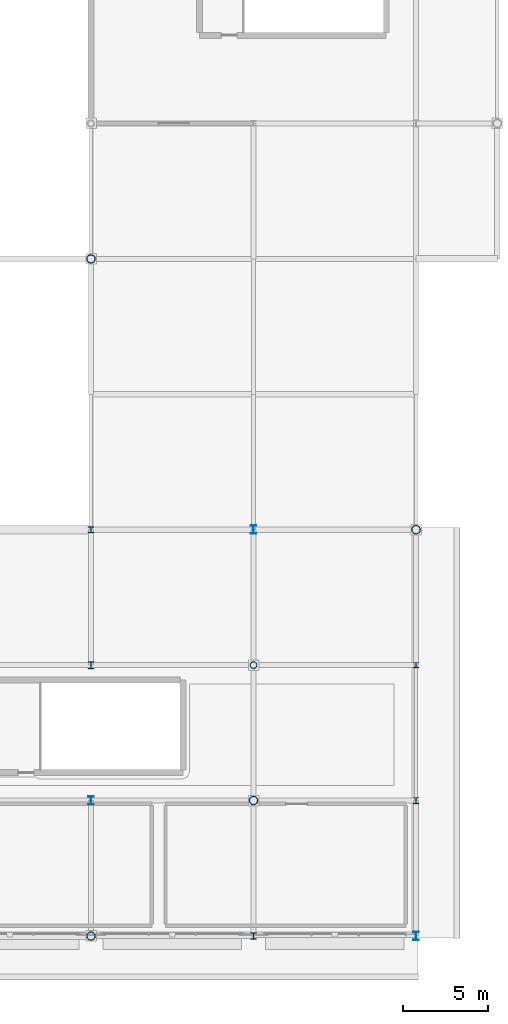
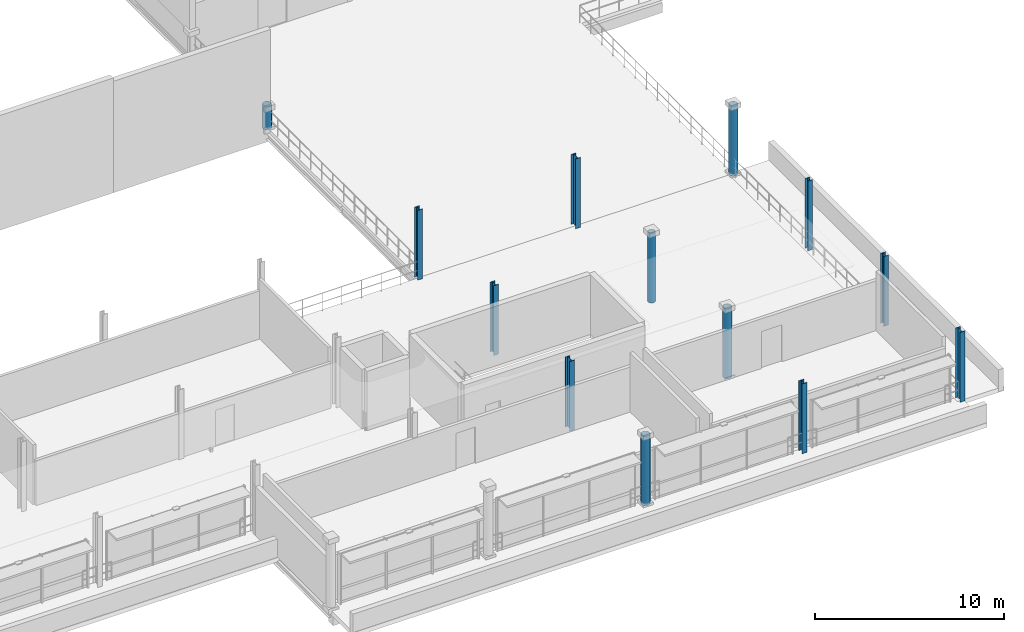
# One storey, part 10 of 59: 13 columns.
"""IFC4 building model written with IfcOpenShell, lengths in metres."""

from ifc_helpers import new_model, si_unit, direction, frame, origin, origin_2d, place, context, subcontext, project, spatial, hollow_circle, i_section, extrude, material, material_profile, profile_set, type_object, element, save


model = new_model("IFC4")

# Units and contexts
model_context = context("Model", 3, precision=1e-05, world=origin(), true_north=direction((0.0, 1.0)))
body_context = subcontext(model_context, "Body", "Model", "MODEL_VIEW")
ifc_project = project(units=[si_unit("LENGTHUNIT", "METRE"), si_unit("AREAUNIT", "SQUARE_METRE"), si_unit("VOLUMEUNIT", "CUBIC_METRE"), si_unit("PLANEANGLEUNIT", "RADIAN"), si_unit("MASSUNIT", "GRAM", prefix="KILO")], contexts=[model_context])

# Site, building, storey
site_placement = place(None, origin())
site = spatial("IfcSite", under=ifc_project, at=site_placement, CompositionType="ELEMENT")
building_placement = place(site_placement, origin())
building = spatial("IfcBuilding", under=site, at=building_placement, Name="Danafjord Basin Convention Centre", CompositionType="ELEMENT")
storey_placement = place(building_placement, frame((0.0, 0.0, 15.89990234375)))
storey = spatial("IfcBuildingStorey", under=building, at=storey_placement, Name="L03", CompositionType="ELEMENT", Elevation=15.89990234375)

# Columns
ifc_material = material(Name="Steel S355", Category="steel")
ifc_material_profile_1 = material_profile(ifc_material, hollow_circle(Radius=0.203125, WallThickness=0.02001953125, at=origin_2d()), Name="CHS 406.4x20.0")
ifc_profile_set_1 = profile_set([ifc_material_profile_1], Name="Steel S355")
column_type_1 = type_object("IfcColumnType", Name="COL-C-CHS406", PredefinedType="COLUMN", material=ifc_profile_set_1)
column_1_placement = place(storey_placement, frame((201.60009765625, 16.0, 0.0), z_axis=(0.0, 0.0, 1.0), x_axis=(1.0, 0.0, 0.0)))
element("IfcColumn", 1, at=column_1_placement, inside=storey, type_object=column_type_1, Name="L03 column C-CHS406 at (201.6, 16.0)", PredefinedType="COLUMN", context=body_context, shape_type="SweptSolid", body=[
    extrude(hollow_circle(Radius=0.203125, WallThickness=0.02001953125, at=origin_2d()), origin(), (0.0, 0.0, 1.0), 4.5),
])
ifc_material_profile_2 = material_profile(ifc_material, hollow_circle(Radius=0.25390625, WallThickness=0.02490234375, at=origin_2d()), Name="CHS 508.0x25.0")
ifc_profile_set_2 = profile_set([ifc_material_profile_2], Name="Steel S355")
column_type_2 = type_object("IfcColumnType", Name="COL-C-CHS508", PredefinedType="COLUMN", material=ifc_profile_set_2)
column_2_placement = place(storey_placement, frame((192.0, 0.0, 0.0), z_axis=(0.0, 0.0, 1.0), x_axis=(1.0, 0.0, 0.0)))
element("IfcColumn", 2, at=column_2_placement, inside=storey, type_object=column_type_2, Name="L03 column C-CHS508 at (192.0, 0.0)", PredefinedType="COLUMN", context=body_context, shape_type="SweptSolid", body=[
    extrude(hollow_circle(Radius=0.25390625, WallThickness=0.02490234375, at=origin_2d()), origin(), (0.0, 0.0, 1.0), 4.5),
])
column_3_placement = place(storey_placement, frame((192.0, 40.0, 0.0), z_axis=(0.0, 0.0, 1.0), x_axis=(1.0, 0.0, 0.0)))
element("IfcColumn", 3, at=column_3_placement, inside=storey, type_object=column_type_2, Name="L03 column C-CHS508 at (192.0, 40.0)", PredefinedType="COLUMN", context=body_context, shape_type="SweptSolid", body=[
    extrude(hollow_circle(Radius=0.25390625, WallThickness=0.02490234375, at=origin_2d()), origin(), (0.0, 0.0, 1.0), 1.52001953125),
])
for number, where, z_axis, x_axis, name in (
    (4, (201.60009765625, 8.0, 0.0), (0.0, 0.0, 1.0), (1.0, 0.0, 0.0), "L03 column C-CHS508 at (201.6, 8.0)"),
    (5, (211.199951171875, 24.0, 0.0), (0.0, 0.0, 1.0), (1.0, 0.0, 0.0), "L03 column C-CHS508 at (211.2, 24.0)"),
):
    element("IfcColumn", number, at=place(storey_placement, frame(where, z_axis=z_axis, x_axis=x_axis)), inside=storey, type_object=column_type_2, Name=name, PredefinedType="COLUMN", context=body_context, shape_type="SweptSolid", body=[
        extrude(hollow_circle(Radius=0.25390625, WallThickness=0.02490234375, at=origin_2d()), origin(), (0.0, 0.0, 1.0), 4.5),
    ])
ifc_material_profile_3 = material_profile(ifc_material, i_section(OverallWidth=0.300048828125, OverallDepth=0.300048828125, WebThickness=0.010986328125, FlangeThickness=0.01904296875, FilletRadius=0.027099609375, at=origin_2d()), Name="HEB 300")
ifc_profile_set_3 = profile_set([ifc_material_profile_3], Name="Steel S355")
column_type_3 = type_object("IfcColumnType", Name="COL-C-HEB300", PredefinedType="COLUMN", material=ifc_profile_set_3)
column_4_placement = place(storey_placement, frame((211.199951171875, 16.0, 0.0), z_axis=(0.0, 0.0, 1.0), x_axis=(1.0, 0.0, 0.0)))
element("IfcColumn", 6, at=column_4_placement, inside=storey, type_object=column_type_3, Name="L03 column C-HEB300 at (211.2, 16.0)", PredefinedType="COLUMN", context=body_context, shape_type="SweptSolid", body=[
    extrude(i_section(OverallWidth=0.300048828125, OverallDepth=0.300048828125, WebThickness=0.010986328125, FlangeThickness=0.01904296875, FilletRadius=0.027099609375, at=origin_2d()), origin(), (0.0, 0.0, 1.0), 4.5),
])
ifc_material_profile_4 = material_profile(ifc_material, i_section(OverallWidth=0.300048828125, OverallDepth=0.360107421875, WebThickness=0.012451171875, FlangeThickness=0.0224609375, FilletRadius=0.027099609375, at=origin_2d()), Name="HEB 360")
ifc_profile_set_4 = profile_set([ifc_material_profile_4], Name="Steel S355")
column_type_4 = type_object("IfcColumnType", Name="COL-C-HEB360", PredefinedType="COLUMN", material=ifc_profile_set_4)
for number, where, z_axis, x_axis, name in (
    (7, (192.0, 24.0, 0.0), (0.0, 0.0, 1.0), (1.0, 0.0, 0.0), "L03 column C-HEB360 at (192.0, 24.0)"),
    (8, (201.60009765625, 0.0, 0.0), (0.0, 0.0, 1.0), (1.0, 0.0, 0.0), "L03 column C-HEB360 at (201.6, 0.0)"),
    (9, (211.199951171875, 8.0, 0.0), (0.0, 0.0, 1.0), (1.0, 0.0, 0.0), "L03 column C-HEB360 at (211.2, 8.0)"),
):
    element("IfcColumn", number, at=place(storey_placement, frame(where, z_axis=z_axis, x_axis=x_axis)), inside=storey, type_object=column_type_4, Name=name, PredefinedType="COLUMN", context=body_context, shape_type="SweptSolid", body=[
        extrude(i_section(OverallWidth=0.300048828125, OverallDepth=0.360107421875, WebThickness=0.012451171875, FlangeThickness=0.0224609375, FilletRadius=0.027099609375, at=origin_2d()), origin(), (0.0, 0.0, 1.0), 4.5),
    ])
ifc_material_profile_5 = material_profile(ifc_material, i_section(OverallWidth=0.300048828125, OverallDepth=0.39990234375, WebThickness=0.013427734375, FlangeThickness=0.02392578125, FilletRadius=0.027099609375, at=origin_2d()), Name="HEB 400")
ifc_profile_set_5 = profile_set([ifc_material_profile_5], Name="Steel S355")
column_type_5 = type_object("IfcColumnType", Name="COL-C-HEB400", PredefinedType="COLUMN", material=ifc_profile_set_5)
column_5_placement = place(storey_placement, frame((192.0, 16.0, 0.0), z_axis=(0.0, 0.0, 1.0), x_axis=(1.0, 0.0, 0.0)))
element("IfcColumn", 10, at=column_5_placement, inside=storey, type_object=column_type_5, Name="L03 column C-HEB400 at (192.0, 16.0)", PredefinedType="COLUMN", context=body_context, shape_type="SweptSolid", body=[
    extrude(i_section(OverallWidth=0.300048828125, OverallDepth=0.39990234375, WebThickness=0.013427734375, FlangeThickness=0.02392578125, FilletRadius=0.027099609375, at=origin_2d()), origin(), (0.0, 0.0, 1.0), 4.5),
])
ifc_material_profile_6 = material_profile(ifc_material, i_section(OverallWidth=0.300048828125, OverallDepth=0.5, WebThickness=0.014404296875, FlangeThickness=0.028076171875, FilletRadius=0.027099609375, at=origin_2d()), Name="HEB 500")
ifc_profile_set_6 = profile_set([ifc_material_profile_6], Name="Steel S355")
column_type_6 = type_object("IfcColumnType", Name="COL-C-HEB500", PredefinedType="COLUMN", material=ifc_profile_set_6)
for number, where, z_axis, x_axis, name in (
    (11, (192.0, 8.0, 0.0), (0.0, 0.0, 1.0), (1.0, 0.0, 0.0), "L03 column C-HEB500 at (192.0, 8.0)"),
    (12, (201.60009765625, 24.0, 0.0), (0.0, 0.0, 1.0), (1.0, 0.0, 0.0), "L03 column C-HEB500 at (201.6, 24.0)"),
    (13, (211.199951171875, 0.0, 0.0), (0.0, 0.0, 1.0), (1.0, 0.0, 0.0), "L03 column C-HEB500 at (211.2, 0.0)"),
):
    element("IfcColumn", number, at=place(storey_placement, frame(where, z_axis=z_axis, x_axis=x_axis)), inside=storey, type_object=column_type_6, Name=name, PredefinedType="COLUMN", context=body_context, shape_type="SweptSolid", body=[
        extrude(i_section(OverallWidth=0.300048828125, OverallDepth=0.5, WebThickness=0.014404296875, FlangeThickness=0.028076171875, FilletRadius=0.027099609375, at=origin_2d()), origin(), (0.0, 0.0, 1.0), 4.5),
    ])

save(model, "model.ifc")
